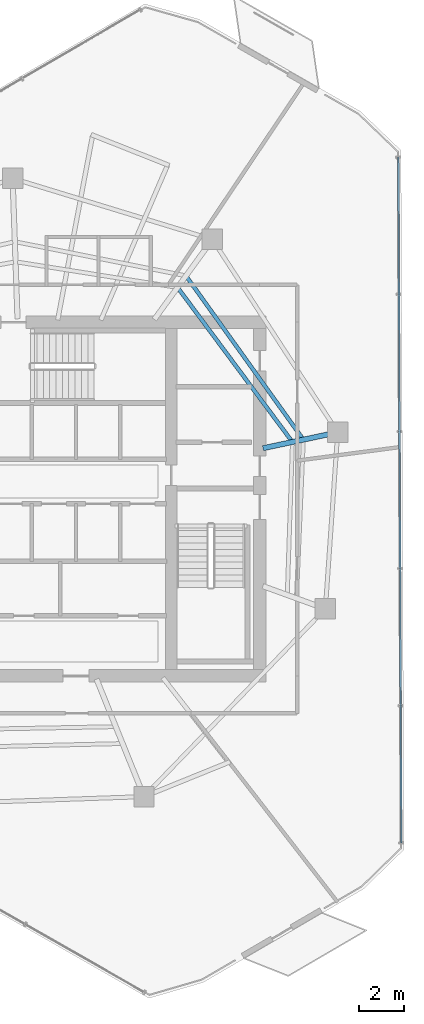
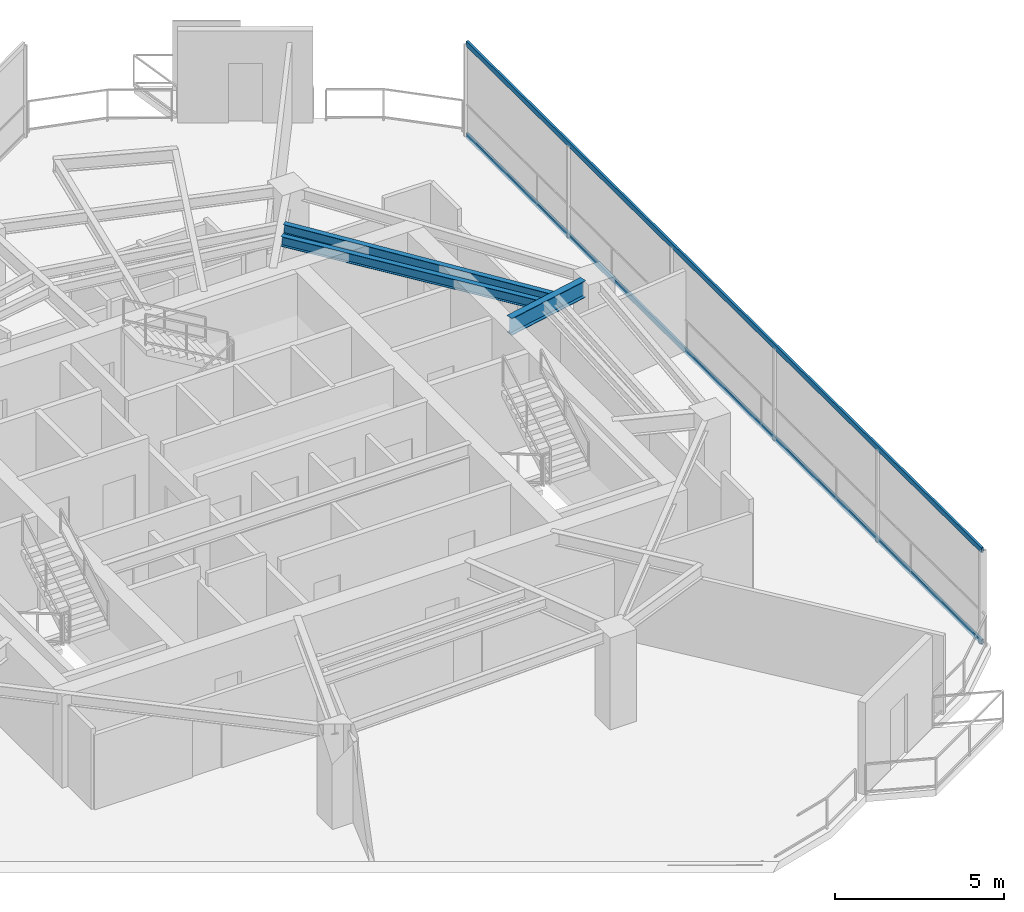
# One storey, part 8 of 19: 3 beams, 2 members, 1 element without a shape of its own.
"""IFC4 building model written with IfcOpenShell, lengths in metres."""

import ifcopenshell
import ifcopenshell.guid

model = None  # the IFC model being written
_history = None  # IfcOwnerHistory: only IFC2X3 demands one
_inside = {}  # id of a spatial element -> (the spatial element, [elements in it])
_under = {}  # id of a project, library or spatial element -> (it, [spatial elements below it])
_declared = {}  # id of a project -> (the project, [libraries it declares])
_typed = {}  # id of a type object -> (the type object, [elements of that type])
_made_of = {}  # id of a material, layer set ... -> (it, [elements and type objects made of it])


def new_model(schema):
    """Start an empty IFC model of exactly this schema.

    Asked for "IFC4X3", IfcOpenShell would pick the latest addendum, in which some entities
    have other attributes; the version numbers below select the first issue.
    IFC2X3 requires an IfcOwnerHistory on every rooted entity: one is made here for all.
    """
    global model, _history
    if schema == "IFC4X3":
        model = ifcopenshell.file(schema_version=(4, 3, 0, 0))
    else:
        model = ifcopenshell.file(schema=schema)
    _inside.clear()
    _under.clear()
    _declared.clear()
    _typed.clear()
    _made_of.clear()
    _history = None
    if model.schema == "IFC2X3":
        org = make("IfcOrganization", Name="unknown")
        user = make(
            "IfcPersonAndOrganization",
            ThePerson=make("IfcPerson", FamilyName="unknown"),
            TheOrganization=org,
        )
        app = make(
            "IfcApplication",
            ApplicationDeveloper=org,
            Version="unknown",
            ApplicationFullName="unknown",
            ApplicationIdentifier="unknown",
        )
        _history = make(
            "IfcOwnerHistory",
            OwningUser=user,
            OwningApplication=app,
            ChangeAction="ADDED",
            CreationDate=0,
        )
    return model


def make(cls, **values):
    """One entity of the class cls with the attributes given. An attribute that is None is left unset."""
    return model.create_entity(
        cls, **{name: value for name, value in values.items() if value is not None}
    )


def rooted(cls, **values):
    """An entity with a GlobalId (a new one), such as an element, a storey or a relation."""
    return make(cls, GlobalId=ifcopenshell.guid.new(), OwnerHistory=_history, **values)


def si_unit(unit_type, name, prefix=None):
    """IfcSIUnit, for example si_unit("LENGTHUNIT", "METRE", prefix="MILLI")."""
    return make("IfcSIUnit", UnitType=unit_type, Prefix=prefix, Name=name)


def assignment(units):
    """IfcUnitAssignment: the units of a project."""
    return None if units is None else make("IfcUnitAssignment", Units=units)


def point(xyz):
    """IfcCartesianPoint."""
    return None if xyz is None else make("IfcCartesianPoint", Coordinates=xyz)


def direction(xyz):
    """IfcDirection."""
    return None if xyz is None else make("IfcDirection", DirectionRatios=xyz)


def frame(location, z_axis=None, x_axis=None):
    """IfcAxis2Placement3D, a coordinate frame: its origin and axes. An axis left out is left unset."""
    return make(
        "IfcAxis2Placement3D",
        Location=point(location),
        Axis=direction(z_axis),
        RefDirection=direction(x_axis),
    )


def frame_2d(location, x_axis=None):
    """IfcAxis2Placement2D, a coordinate frame in the plane: its origin and x axis."""
    return make(
        "IfcAxis2Placement2D", Location=point(location), RefDirection=direction(x_axis)
    )


def origin():
    """The frame at (0, 0, 0) with its axes left unset."""
    return frame((0.0, 0.0, 0.0))


def origin_2d():
    """The frame at (0, 0) in the plane with its x axis left unset."""
    return frame_2d((0.0, 0.0))


def place(relative_to, where):
    """IfcLocalPlacement: puts the frame where relative to a parent placement (None: the world)."""
    return make(
        "IfcLocalPlacement", PlacementRelTo=relative_to, RelativePlacement=where
    )


def context(
    kind, dimensions, precision=None, world=None, true_north=None, identifier=None
):
    """IfcGeometricRepresentationContext, for example the 3D "Model" context."""
    return make(
        "IfcGeometricRepresentationContext",
        ContextIdentifier=identifier,
        ContextType=kind,
        CoordinateSpaceDimension=dimensions,
        Precision=precision,
        WorldCoordinateSystem=world,
        TrueNorth=true_north,
    )


def subcontext(parent, identifier, kind, view, scale=None):
    """IfcGeometricRepresentationSubContext, for example "Body" below "Model"."""
    return make(
        "IfcGeometricRepresentationSubContext",
        ContextIdentifier=identifier,
        ContextType=kind,
        ParentContext=parent,
        TargetScale=scale,
        TargetView=view,
    )


def project(units=None, contexts=None):
    """IfcProject with its units and contexts."""
    return rooted(
        "IfcProject",
        Name="project",
        RepresentationContexts=contexts,
        UnitsInContext=assignment(units),
    )


def spatial(cls, under=None, at=None, **own):
    """A site, building, storey or space (cls), placed at a placement, below another one or the project."""
    s = rooted(cls, ObjectPlacement=at, **own)
    if under is not None:
        _under.setdefault(under.id(), (under, []))[1].append(s)
    return s


def profile(cls, at=None, kind="AREA", **sizes):
    """A parametric profile (cls). Its sizes go by their IFC names, for example OverallWidth=200.0."""
    return make(cls, ProfileType=kind, Position=at, **sizes)


def hollow_rectangle(**sizes):
    """IfcRectangleHollowProfileDef."""
    return profile("IfcRectangleHollowProfileDef", **sizes)


def i_section(**sizes):
    """IfcIShapeProfileDef."""
    return profile("IfcIShapeProfileDef", **sizes)


def extrude(swept, where, along, depth):
    """IfcExtrudedAreaSolid: the profile swept, set in the frame where, extruded along a direction by depth."""
    return make(
        "IfcExtrudedAreaSolid",
        SweptArea=swept,
        Position=where,
        ExtrudedDirection=direction(along),
        Depth=depth,
    )


def shape(context_of_items, identifier, shape_type, items):
    """IfcShapeRepresentation: the items that make up one representation, for example the "Body"."""
    return make(
        "IfcShapeRepresentation",
        ContextOfItems=context_of_items,
        RepresentationIdentifier=identifier,
        RepresentationType=shape_type,
        Items=items,
    )


def material(Name=None, Category=None):
    """IfcMaterial."""
    return make("IfcMaterial", Name=Name, Category=Category)


def layer(
    of_material, thickness, ventilated=None, Name=None, Category=None, Priority=None
):
    """IfcMaterialLayer: one layer of a wall or slab, of a material (None: an air gap)."""
    return make(
        "IfcMaterialLayer",
        Material=of_material,
        LayerThickness=thickness,
        IsVentilated=ventilated,
        Name=Name,
        Category=Category,
        Priority=Priority,
    )


def layer_set(layers, Name=None):
    """IfcMaterialLayerSet."""
    return make("IfcMaterialLayerSet", MaterialLayers=layers, LayerSetName=Name)


def material_profile(
    of_material, cross_section, Name=None, Category=None, Priority=None
):
    """IfcMaterialProfile: a cross section and its material."""
    return make(
        "IfcMaterialProfile",
        Name=Name,
        Material=of_material,
        Profile=cross_section,
        Priority=Priority,
        Category=Category,
    )


def profile_set(profiles, Name=None, composite=None):
    """IfcMaterialProfileSet."""
    return make(
        "IfcMaterialProfileSet",
        Name=Name,
        MaterialProfiles=profiles,
        CompositeProfile=composite,
    )


def made_of(thing, what):
    """Note that an element or type object is made of a material, layer set ...; save() writes the relation."""
    if what is not None:
        _made_of.setdefault(what.id(), (what, []))[1].append(thing)
    return thing


def type_object(cls, material=None, **own):
    """A type object (cls), such as IfcWallType, which elements share."""
    return made_of(rooted(cls, **own), material)


def element(
    cls,
    number,
    at=None,
    inside=None,
    cuts=None,
    type_object=None,
    material=None,
    context=None,
    identifier="Body",
    shape_type=None,
    held_by="IfcProductDefinitionShape",
    body=None,
    shapes=None,
    **own,
):
    """One element of the class cls, such as IfcWall. Its Tag is "e" and its number.

    at: its placement. inside: the storey or other place that contains it. cuts: it is an
    opening in that element (IfcRelVoidsElement). A single representation is given by context,
    identifier, shape_type and body (its items); several are given by shapes. held_by: the class
    of the entity that holds the representations. save() writes the other relations.
    """
    e = rooted(cls, Tag="e%d" % number, ObjectPlacement=at, **own)
    if body is not None:
        shapes = [shape(context, identifier, shape_type, body)]
    if shapes is not None:
        e.Representation = make(held_by, Representations=shapes)
    if inside is not None:
        _inside.setdefault(inside.id(), (inside, []))[1].append(e)
    if cuts is not None:
        rooted(
            "IfcRelVoidsElement", RelatingBuildingElement=cuts, RelatedOpeningElement=e
        )
    if type_object is not None:
        _typed.setdefault(type_object.id(), (type_object, []))[1].append(e)
    return made_of(e, material)


def aggregate(whole, parts):
    """IfcRelAggregates: a whole, such as a stair, and the parts it consists of."""
    return rooted("IfcRelAggregates", RelatingObject=whole, RelatedObjects=parts)


def save(model, path):
    """Write the relations noted so far, then the file.

    IfcRelAggregates (storeys below a building ...), IfcRelContainedInSpatialStructure (elements
    in a storey), IfcRelDefinesByType, IfcRelAssociatesMaterial and IfcRelDeclares: one each for
    every whole, place, type object, material and project.
    """
    for whole, parts in _under.values():
        aggregate(whole, parts)
    for where, things in _inside.values():
        rooted(
            "IfcRelContainedInSpatialStructure",
            RelatedElements=things,
            RelatingStructure=where,
        )
    for kind, things in _typed.values():
        rooted("IfcRelDefinesByType", RelatedObjects=things, RelatingType=kind)
    for what, things in _made_of.values():
        rooted("IfcRelAssociatesMaterial", RelatedObjects=things, RelatingMaterial=what)
    for by, libraries in _declared.values():
        rooted("IfcRelDeclares", RelatingContext=by, RelatedDefinitions=libraries)
    model.write(path)


model = new_model("IFC4")

# Units and contexts
model_context = context("Model", 3, precision=1e-05, world=origin(), true_north=direction((0.0, 1.0)))
body_context = subcontext(model_context, "Body", "Model", "MODEL_VIEW")
ifc_project = project(units=[si_unit("LENGTHUNIT", "METRE"), si_unit("AREAUNIT", "SQUARE_METRE"), si_unit("VOLUMEUNIT", "CUBIC_METRE"), si_unit("PLANEANGLEUNIT", "RADIAN"), si_unit("MASSUNIT", "GRAM", prefix="KILO")], contexts=[model_context])

# Site, building, storey
site_placement = place(None, origin())
site = spatial("IfcSite", under=ifc_project, at=site_placement, CompositionType="ELEMENT")
building_placement = place(site_placement, origin())
building = spatial("IfcBuilding", under=site, at=building_placement, Name="Qarnah Convention Tower", CompositionType="ELEMENT")
storey_placement = place(building_placement, frame((0.0, 0.0, 180.60009765625)))
storey = spatial("IfcBuildingStorey", under=building, at=storey_placement, Name="L48", CompositionType="ELEMENT", Elevation=180.60009765625)

# Beams
ifc_material_1 = material(Name="Structural steel S355JR", Category="steel")
ifc_material_profile_1 = material_profile(ifc_material_1, i_section(OverallWidth=0.172119140625, OverallDepth=0.35595703125, WebThickness=0.007080078125, FlangeThickness=0.011962890625, at=origin_2d()), Name="W360X51")
ifc_profile_set_1 = profile_set([ifc_material_profile_1], Name="Structural steel S355JR")
beam_type_1 = type_object("IfcBeamType", Name="BM-JST-W360", PredefinedType="JOIST", material=ifc_profile_set_1)
beam_1_placement = place(storey_placement, frame((49.47509765625, 29.093017578125, 3.141845703125), z_axis=(-0.582537157954, 0.812804072088, 0.0), x_axis=(-0.812804072088, -0.582537157954, 0.0)))
element("IfcBeam", 1, at=beam_1_placement, inside=storey, type_object=beam_type_1, Name="L48 joist BM-L48-SJST-01", PredefinedType="JOIST", context=body_context, shape_type="SweptSolid", body=[
    extrude(i_section(OverallWidth=0.172119140625, OverallDepth=0.35595703125, WebThickness=0.007080078125, FlangeThickness=0.011962890625, at=origin_2d()), origin(), (0.0, 0.0, 1.0), 8.706787109375),
])
beam_2_placement = place(storey_placement, frame((48.990966796875, 28.989990234375, 3.141845703125), z_axis=(-0.596497073745, 0.802615250922, 0.0), x_axis=(-0.802615250922, -0.596497073745, 0.0)))
element("IfcBeam", 2, at=beam_2_placement, inside=storey, type_object=beam_type_1, Name="L48 joist BM-L48-IJST-01", PredefinedType="JOIST", context=body_context, shape_type="SweptSolid", body=[
    extrude(i_section(OverallWidth=0.172119140625, OverallDepth=0.35595703125, WebThickness=0.007080078125, FlangeThickness=0.011962890625, at=origin_2d()), origin(), (0.0, 0.0, 1.0), 8.310302734375),
])
ifc_material_profile_2 = material_profile(ifc_material_1, i_section(OverallWidth=0.22802734375, OverallDepth=0.60791015625, WebThickness=0.010986328125, FlangeThickness=0.01708984375, at=origin_2d()), Name="W610X113")
ifc_profile_set_2 = profile_set([ifc_material_profile_2], Name="Structural steel S355JR")
beam_type_2 = type_object("IfcBeamType", Name="BM-RAD-W610B", PredefinedType="BEAM", material=ifc_profile_set_2)
beam_3_placement = place(storey_placement, frame((47.7470703125, 28.64208984375, 3.015869140625), z_axis=(0.978136876062, 0.207962140033, 0.0), x_axis=(-0.207962140033, 0.978136876062, 0.0)))
element("IfcBeam", 3, at=beam_3_placement, inside=storey, type_object=beam_type_2, Name="L48 beam BM-L48-RAD-01", PredefinedType="BEAM", context=body_context, shape_type="SweptSolid", body=[
    extrude(i_section(OverallWidth=0.22802734375, OverallDepth=0.60791015625, WebThickness=0.010986328125, FlangeThickness=0.01708984375, at=origin_2d()), origin(), (0.0, 0.0, 1.0), 2.937255859375),
])

# Curtain wall, members
ifc_material_2 = material(Name="Tempered Low-E dark glass", Category="glass")
ifc_layer = layer(ifc_material_2, 0.174072265625)
ifc_layer_set = layer_set([ifc_layer], Name="Tempered Low-E dark glass")
curtain_wall_type = type_object("IfcCurtainWallType", Name="CWS-04", PredefinedType="NOTDEFINED", material=ifc_layer_set)
curtain_wall_placement = place(storey_placement, origin())
curtain_wall = element("IfcCurtainWall", 4, at=curtain_wall_placement, inside=storey, type_object=curtain_wall_type, Name="L48 unitised curtain wall CW-L48-F2", PredefinedType="NOTDEFINED")
ifc_material_3 = material(Name="Black anodised aluminium", Category="aluminium")
ifc_material_profile_3 = material_profile(ifc_material_3, hollow_rectangle(XDim=0.074951171875, YDim=0.18994140625, WallThickness=0.0048828125, at=origin_2d()), Name="TRN-75X190")
ifc_profile_set_3 = profile_set([ifc_material_profile_3], Name="Black anodised aluminium")
member_type = type_object("IfcMemberType", Name="TRN-T4", PredefinedType="USERDEFINED", material=ifc_profile_set_3)
member_1_placement = place(storey_placement, frame((53.716064453125, 41.47705078125, 0.0), z_axis=(0.004198827678, -0.999991184884, 0.0), x_axis=(0.999991184884, 0.004198827678, 0.0)))
member_1 = element("IfcMember", 5, at=member_1_placement, type_object=member_type, Name="CW-L48-F2 transom 1", ObjectType="TRANSOM", PredefinedType="USERDEFINED", context=body_context, shape_type="SweptSolid", body=[
    extrude(hollow_rectangle(XDim=0.074951171875, YDim=0.18994140625, WallThickness=0.0048828125, at=origin_2d()), origin(), (0.0, 0.0, 1.0), 30.2353515625),
])
member_2_placement = place(storey_placement, frame((53.716064453125, 41.47705078125, 3.31982421875), z_axis=(0.004198827678, -0.999991184884, 0.0), x_axis=(0.999991184884, 0.004198827678, 0.0)))
member_2 = element("IfcMember", 6, at=member_2_placement, type_object=member_type, Name="CW-L48-F2 transom 2", ObjectType="TRANSOM", PredefinedType="USERDEFINED", context=body_context, shape_type="SweptSolid", body=[
    extrude(hollow_rectangle(XDim=0.074951171875, YDim=0.18994140625, WallThickness=0.0048828125, at=origin_2d()), origin(), (0.0, 0.0, 1.0), 30.2353515625),
])
aggregate(curtain_wall, [member_1, member_2])

save(model, "model.ifc")
